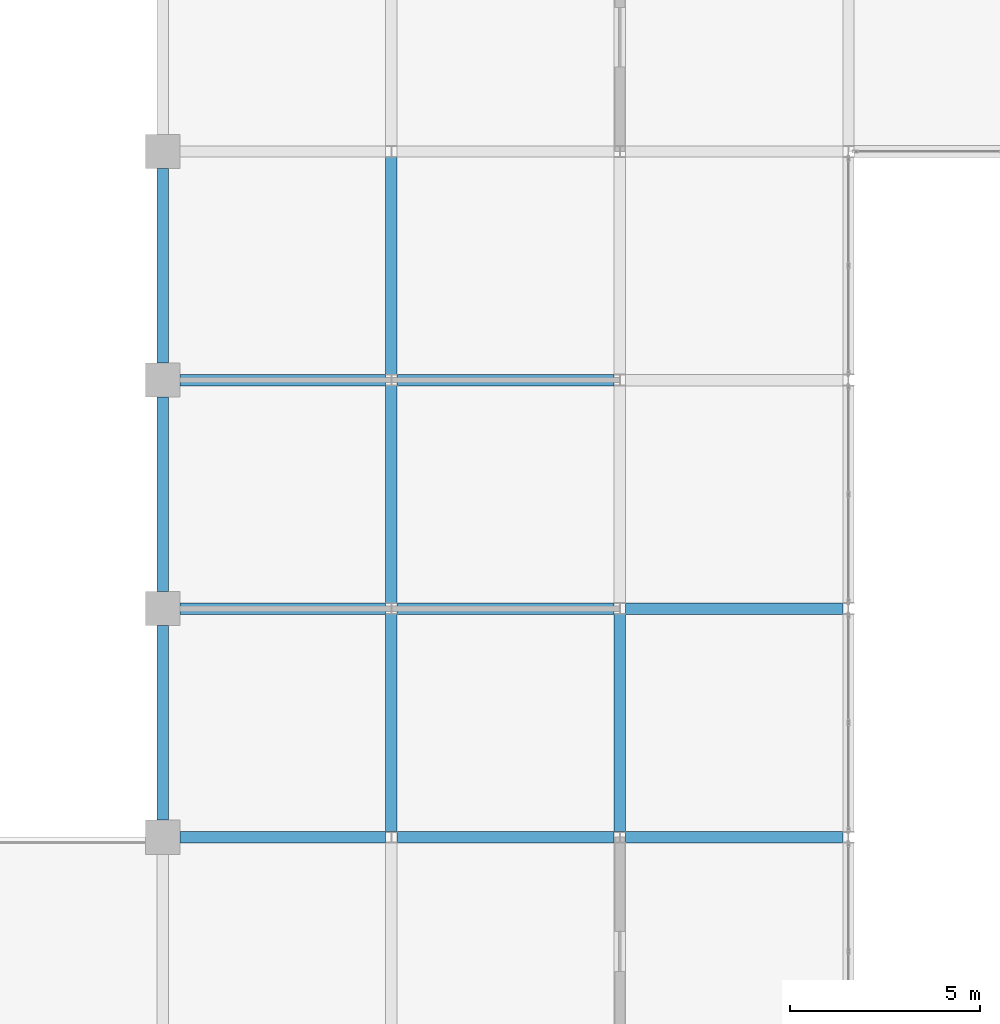
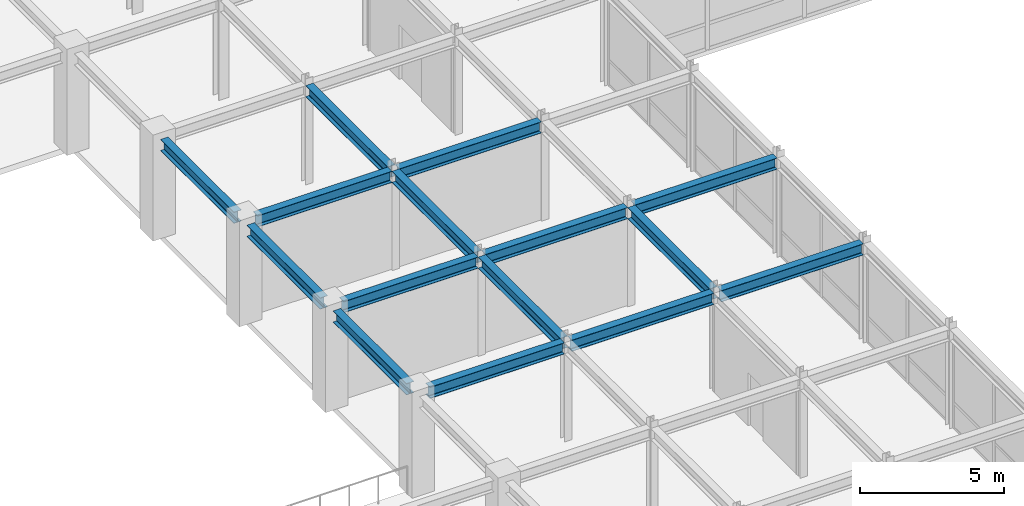
# One storey, part 64 of 108: 15 beams.
"""IFC4 building model written with IfcOpenShell, lengths in metres."""

import ifcopenshell
import ifcopenshell.guid

model = None  # the IFC model being written
_history = None  # IfcOwnerHistory: only IFC2X3 demands one
_inside = {}  # id of a spatial element -> (the spatial element, [elements in it])
_under = {}  # id of a project, library or spatial element -> (it, [spatial elements below it])
_declared = {}  # id of a project -> (the project, [libraries it declares])
_typed = {}  # id of a type object -> (the type object, [elements of that type])
_made_of = {}  # id of a material, layer set ... -> (it, [elements and type objects made of it])


def new_model(schema):
    """Start an empty IFC model of exactly this schema.

    Asked for "IFC4X3", IfcOpenShell would pick the latest addendum, in which some entities
    have other attributes; the version numbers below select the first issue.
    IFC2X3 requires an IfcOwnerHistory on every rooted entity: one is made here for all.
    """
    global model, _history
    if schema == "IFC4X3":
        model = ifcopenshell.file(schema_version=(4, 3, 0, 0))
    else:
        model = ifcopenshell.file(schema=schema)
    _inside.clear()
    _under.clear()
    _declared.clear()
    _typed.clear()
    _made_of.clear()
    _history = None
    if model.schema == "IFC2X3":
        org = make("IfcOrganization", Name="unknown")
        user = make(
            "IfcPersonAndOrganization",
            ThePerson=make("IfcPerson", FamilyName="unknown"),
            TheOrganization=org,
        )
        app = make(
            "IfcApplication",
            ApplicationDeveloper=org,
            Version="unknown",
            ApplicationFullName="unknown",
            ApplicationIdentifier="unknown",
        )
        _history = make(
            "IfcOwnerHistory",
            OwningUser=user,
            OwningApplication=app,
            ChangeAction="ADDED",
            CreationDate=0,
        )
    return model


def make(cls, **values):
    """One entity of the class cls with the attributes given. An attribute that is None is left unset."""
    return model.create_entity(
        cls, **{name: value for name, value in values.items() if value is not None}
    )


def rooted(cls, **values):
    """An entity with a GlobalId (a new one), such as an element, a storey or a relation."""
    return make(cls, GlobalId=ifcopenshell.guid.new(), OwnerHistory=_history, **values)


def si_unit(unit_type, name, prefix=None):
    """IfcSIUnit, for example si_unit("LENGTHUNIT", "METRE", prefix="MILLI")."""
    return make("IfcSIUnit", UnitType=unit_type, Prefix=prefix, Name=name)


def assignment(units):
    """IfcUnitAssignment: the units of a project."""
    return None if units is None else make("IfcUnitAssignment", Units=units)


def point(xyz):
    """IfcCartesianPoint."""
    return None if xyz is None else make("IfcCartesianPoint", Coordinates=xyz)


def direction(xyz):
    """IfcDirection."""
    return None if xyz is None else make("IfcDirection", DirectionRatios=xyz)


def frame(location, z_axis=None, x_axis=None):
    """IfcAxis2Placement3D, a coordinate frame: its origin and axes. An axis left out is left unset."""
    return make(
        "IfcAxis2Placement3D",
        Location=point(location),
        Axis=direction(z_axis),
        RefDirection=direction(x_axis),
    )


def frame_2d(location, x_axis=None):
    """IfcAxis2Placement2D, a coordinate frame in the plane: its origin and x axis."""
    return make(
        "IfcAxis2Placement2D", Location=point(location), RefDirection=direction(x_axis)
    )


def origin():
    """The frame at (0, 0, 0) with its axes left unset."""
    return frame((0.0, 0.0, 0.0))


def origin_2d():
    """The frame at (0, 0) in the plane with its x axis left unset."""
    return frame_2d((0.0, 0.0))


def place(relative_to, where):
    """IfcLocalPlacement: puts the frame where relative to a parent placement (None: the world)."""
    return make(
        "IfcLocalPlacement", PlacementRelTo=relative_to, RelativePlacement=where
    )


def context(
    kind, dimensions, precision=None, world=None, true_north=None, identifier=None
):
    """IfcGeometricRepresentationContext, for example the 3D "Model" context."""
    return make(
        "IfcGeometricRepresentationContext",
        ContextIdentifier=identifier,
        ContextType=kind,
        CoordinateSpaceDimension=dimensions,
        Precision=precision,
        WorldCoordinateSystem=world,
        TrueNorth=true_north,
    )


def subcontext(parent, identifier, kind, view, scale=None):
    """IfcGeometricRepresentationSubContext, for example "Body" below "Model"."""
    return make(
        "IfcGeometricRepresentationSubContext",
        ContextIdentifier=identifier,
        ContextType=kind,
        ParentContext=parent,
        TargetScale=scale,
        TargetView=view,
    )


def project(units=None, contexts=None):
    """IfcProject with its units and contexts."""
    return rooted(
        "IfcProject",
        Name="project",
        RepresentationContexts=contexts,
        UnitsInContext=assignment(units),
    )


def spatial(cls, under=None, at=None, **own):
    """A site, building, storey or space (cls), placed at a placement, below another one or the project."""
    s = rooted(cls, ObjectPlacement=at, **own)
    if under is not None:
        _under.setdefault(under.id(), (under, []))[1].append(s)
    return s


def profile(cls, at=None, kind="AREA", **sizes):
    """A parametric profile (cls). Its sizes go by their IFC names, for example OverallWidth=200.0."""
    return make(cls, ProfileType=kind, Position=at, **sizes)


def i_section(**sizes):
    """IfcIShapeProfileDef."""
    return profile("IfcIShapeProfileDef", **sizes)


def extrude(swept, where, along, depth):
    """IfcExtrudedAreaSolid: the profile swept, set in the frame where, extruded along a direction by depth."""
    return make(
        "IfcExtrudedAreaSolid",
        SweptArea=swept,
        Position=where,
        ExtrudedDirection=direction(along),
        Depth=depth,
    )


def shape(context_of_items, identifier, shape_type, items):
    """IfcShapeRepresentation: the items that make up one representation, for example the "Body"."""
    return make(
        "IfcShapeRepresentation",
        ContextOfItems=context_of_items,
        RepresentationIdentifier=identifier,
        RepresentationType=shape_type,
        Items=items,
    )


def material(Name=None, Category=None):
    """IfcMaterial."""
    return make("IfcMaterial", Name=Name, Category=Category)


def material_profile(
    of_material, cross_section, Name=None, Category=None, Priority=None
):
    """IfcMaterialProfile: a cross section and its material."""
    return make(
        "IfcMaterialProfile",
        Name=Name,
        Material=of_material,
        Profile=cross_section,
        Priority=Priority,
        Category=Category,
    )


def profile_set(profiles, Name=None, composite=None):
    """IfcMaterialProfileSet."""
    return make(
        "IfcMaterialProfileSet",
        Name=Name,
        MaterialProfiles=profiles,
        CompositeProfile=composite,
    )


def made_of(thing, what):
    """Note that an element or type object is made of a material, layer set ...; save() writes the relation."""
    if what is not None:
        _made_of.setdefault(what.id(), (what, []))[1].append(thing)
    return thing


def type_object(cls, material=None, **own):
    """A type object (cls), such as IfcWallType, which elements share."""
    return made_of(rooted(cls, **own), material)


def element(
    cls,
    number,
    at=None,
    inside=None,
    cuts=None,
    type_object=None,
    material=None,
    context=None,
    identifier="Body",
    shape_type=None,
    held_by="IfcProductDefinitionShape",
    body=None,
    shapes=None,
    **own,
):
    """One element of the class cls, such as IfcWall. Its Tag is "e" and its number.

    at: its placement. inside: the storey or other place that contains it. cuts: it is an
    opening in that element (IfcRelVoidsElement). A single representation is given by context,
    identifier, shape_type and body (its items); several are given by shapes. held_by: the class
    of the entity that holds the representations. save() writes the other relations.
    """
    e = rooted(cls, Tag="e%d" % number, ObjectPlacement=at, **own)
    if body is not None:
        shapes = [shape(context, identifier, shape_type, body)]
    if shapes is not None:
        e.Representation = make(held_by, Representations=shapes)
    if inside is not None:
        _inside.setdefault(inside.id(), (inside, []))[1].append(e)
    if cuts is not None:
        rooted(
            "IfcRelVoidsElement", RelatingBuildingElement=cuts, RelatedOpeningElement=e
        )
    if type_object is not None:
        _typed.setdefault(type_object.id(), (type_object, []))[1].append(e)
    return made_of(e, material)


def aggregate(whole, parts):
    """IfcRelAggregates: a whole, such as a stair, and the parts it consists of."""
    return rooted("IfcRelAggregates", RelatingObject=whole, RelatedObjects=parts)


def save(model, path):
    """Write the relations noted so far, then the file.

    IfcRelAggregates (storeys below a building ...), IfcRelContainedInSpatialStructure (elements
    in a storey), IfcRelDefinesByType, IfcRelAssociatesMaterial and IfcRelDeclares: one each for
    every whole, place, type object, material and project.
    """
    for whole, parts in _under.values():
        aggregate(whole, parts)
    for where, things in _inside.values():
        rooted(
            "IfcRelContainedInSpatialStructure",
            RelatedElements=things,
            RelatingStructure=where,
        )
    for kind, things in _typed.values():
        rooted("IfcRelDefinesByType", RelatedObjects=things, RelatingType=kind)
    for what, things in _made_of.values():
        rooted("IfcRelAssociatesMaterial", RelatedObjects=things, RelatingMaterial=what)
    for by, libraries in _declared.values():
        rooted("IfcRelDeclares", RelatingContext=by, RelatedDefinitions=libraries)
    model.write(path)


model = new_model("IFC4")

# Units and contexts
model_context = context("Model", 3, precision=1e-05, world=origin(), true_north=direction((0.0, 1.0)))
body_context = subcontext(model_context, "Body", "Model", "MODEL_VIEW")
ifc_project = project(units=[si_unit("LENGTHUNIT", "METRE"), si_unit("AREAUNIT", "SQUARE_METRE"), si_unit("VOLUMEUNIT", "CUBIC_METRE"), si_unit("PLANEANGLEUNIT", "RADIAN"), si_unit("MASSUNIT", "GRAM", prefix="KILO")], contexts=[model_context])

# Site, building, storey
site_placement = place(None, origin())
site = spatial("IfcSite", under=ifc_project, at=site_placement, CompositionType="ELEMENT")
building_placement = place(site_placement, origin())
building = spatial("IfcBuilding", under=site, at=building_placement, Name="Zlatovratsky Civic Hall", CompositionType="ELEMENT")
storey_placement = place(building_placement, frame((0.0, 0.0, 12.0)))
storey = spatial("IfcBuildingStorey", under=building, at=storey_placement, Name="L03", CompositionType="ELEMENT", Elevation=12.0)

# Beams
ifc_material = material(Name="Steel S355", Category="steel")
ifc_material_profile = material_profile(ifc_material, i_section(OverallWidth=0.300048828125, OverallDepth=0.48193359375, WebThickness=0.010986328125, FlangeThickness=0.014892578125, FilletRadius=0.02392578125, at=origin_2d()), Name="50Sh1")
ifc_profile_set = profile_set([ifc_material_profile], Name="Steel S355")
beam_type = type_object("IfcBeamType", Name="Beam_LibraryGirder_50Sh1", PredefinedType="BEAM", material=ifc_profile_set)
beam_1_placement = place(storey_placement, frame((102.449951171875, 48.0, 3.97900390625), z_axis=(1.0, 0.0, 0.0), x_axis=(0.0, 1.0, 0.0)))
element("IfcBeam", 1, at=beam_1_placement, inside=storey, type_object=beam_type, Name="BM-2580", PredefinedType="BEAM", context=body_context, shape_type="SweptSolid", body=[
    extrude(i_section(OverallWidth=0.300048828125, OverallDepth=0.48193359375, WebThickness=0.010986328125, FlangeThickness=0.014892578125, FilletRadius=0.02392578125, at=origin_2d()), origin(), (0.0, 0.0, 1.0), 5.400634765625),
])
for number, where, z_axis, x_axis, name in (
    (2, (108.1494140625, 48.0, 3.97900390625), (1.0, 0.0, 0.0), (0.0, 1.0, 0.0), "BM-2581"),
    (3, (114.1494140625, 48.0, 3.97900390625), (1.0, 0.0, 0.0), (0.0, 1.0, 0.0), "BM-2582"),
):
    element("IfcBeam", number, at=place(storey_placement, frame(where, z_axis=z_axis, x_axis=x_axis)), inside=storey, type_object=beam_type, Name=name, PredefinedType="BEAM", context=body_context, shape_type="SweptSolid", body=[
        extrude(i_section(OverallWidth=0.300048828125, OverallDepth=0.48193359375, WebThickness=0.010986328125, FlangeThickness=0.014892578125, FilletRadius=0.02392578125, at=origin_2d()), origin(), (0.0, 0.0, 1.0), 5.701171875),
    ])
beam_2_placement = place(storey_placement, frame((102.449951171875, 54.0, 3.97900390625), z_axis=(1.0, 0.0, 0.0), x_axis=(0.0, 1.0, 0.0)))
element("IfcBeam", 4, at=beam_2_placement, inside=storey, type_object=beam_type, Name="BM-2590", PredefinedType="BEAM", context=body_context, shape_type="SweptSolid", body=[
    extrude(i_section(OverallWidth=0.300048828125, OverallDepth=0.48193359375, WebThickness=0.010986328125, FlangeThickness=0.014892578125, FilletRadius=0.02392578125, at=origin_2d()), origin(), (0.0, 0.0, 1.0), 5.400634765625),
])
for number, where, z_axis, x_axis, name in (
    (5, (108.1494140625, 54.0, 3.97900390625), (1.0, 0.0, 0.0), (0.0, 1.0, 0.0), "BM-2591"),
    (6, (114.1494140625, 54.0, 3.97900390625), (1.0, 0.0, 0.0), (0.0, 1.0, 0.0), "BM-2592"),
):
    element("IfcBeam", number, at=place(storey_placement, frame(where, z_axis=z_axis, x_axis=x_axis)), inside=storey, type_object=beam_type, Name=name, PredefinedType="BEAM", context=body_context, shape_type="SweptSolid", body=[
        extrude(i_section(OverallWidth=0.300048828125, OverallDepth=0.48193359375, WebThickness=0.010986328125, FlangeThickness=0.014892578125, FilletRadius=0.02392578125, at=origin_2d()), origin(), (0.0, 0.0, 1.0), 5.701171875),
    ])
beam_3_placement = place(storey_placement, frame((102.449951171875, 60.0, 3.97900390625), z_axis=(1.0, 0.0, 0.0), x_axis=(0.0, 1.0, 0.0)))
element("IfcBeam", 7, at=beam_3_placement, inside=storey, type_object=beam_type, Name="BM-2600", PredefinedType="BEAM", context=body_context, shape_type="SweptSolid", body=[
    extrude(i_section(OverallWidth=0.300048828125, OverallDepth=0.48193359375, WebThickness=0.010986328125, FlangeThickness=0.014892578125, FilletRadius=0.02392578125, at=origin_2d()), origin(), (0.0, 0.0, 1.0), 5.400634765625),
])
beam_4_placement = place(storey_placement, frame((108.1494140625, 60.0, 3.97900390625), z_axis=(1.0, 0.0, 0.0), x_axis=(0.0, 1.0, 0.0)))
element("IfcBeam", 8, at=beam_4_placement, inside=storey, type_object=beam_type, Name="BM-2601", PredefinedType="BEAM", context=body_context, shape_type="SweptSolid", body=[
    extrude(i_section(OverallWidth=0.300048828125, OverallDepth=0.48193359375, WebThickness=0.010986328125, FlangeThickness=0.014892578125, FilletRadius=0.02392578125, at=origin_2d()), origin(), (0.0, 0.0, 1.0), 5.701171875),
])
for number, where, z_axis, x_axis, name in (
    (9, (102.0, 48.449951171875, 3.97900390625), (0.0, 1.0, 0.0), (-1.0, 0.0, 0.0), "BM-2986"),
    (10, (102.0, 54.449951171875, 3.97900390625), (0.0, 1.0, 0.0), (-1.0, 0.0, 0.0), "BM-2987"),
    (11, (102.0, 60.449951171875, 3.97900390625), (0.0, 1.0, 0.0), (-1.0, 0.0, 0.0), "BM-2988"),
):
    element("IfcBeam", number, at=place(storey_placement, frame(where, z_axis=z_axis, x_axis=x_axis)), inside=storey, type_object=beam_type, Name=name, PredefinedType="BEAM", context=body_context, shape_type="SweptSolid", body=[
        extrude(i_section(OverallWidth=0.300048828125, OverallDepth=0.48193359375, WebThickness=0.010986328125, FlangeThickness=0.014892578125, FilletRadius=0.02392578125, at=origin_2d()), origin(), (0.0, 0.0, 1.0), 5.10009765625),
    ])
for number, where, z_axis, x_axis, name in (
    (12, (108.0, 48.14794921875, 3.97900390625), (0.0, 1.0, 0.0), (-1.0, 0.0, 0.0), "BM-3002"),
    (13, (108.0, 54.14794921875, 3.97900390625), (0.0, 1.0, 0.0), (-1.0, 0.0, 0.0), "BM-3003"),
    (14, (108.0, 60.14794921875, 3.97900390625), (0.0, 1.0, 0.0), (-1.0, 0.0, 0.0), "BM-3004"),
    (15, (114.0, 48.14794921875, 3.97900390625), (0.0, 1.0, 0.0), (-1.0, 0.0, 0.0), "BM-3019"),
):
    element("IfcBeam", number, at=place(storey_placement, frame(where, z_axis=z_axis, x_axis=x_axis)), inside=storey, type_object=beam_type, Name=name, PredefinedType="BEAM", context=body_context, shape_type="SweptSolid", body=[
        extrude(i_section(OverallWidth=0.300048828125, OverallDepth=0.48193359375, WebThickness=0.010986328125, FlangeThickness=0.014892578125, FilletRadius=0.02392578125, at=origin_2d()), origin(), (0.0, 0.0, 1.0), 5.7041015625),
    ])

save(model, "model.ifc")
